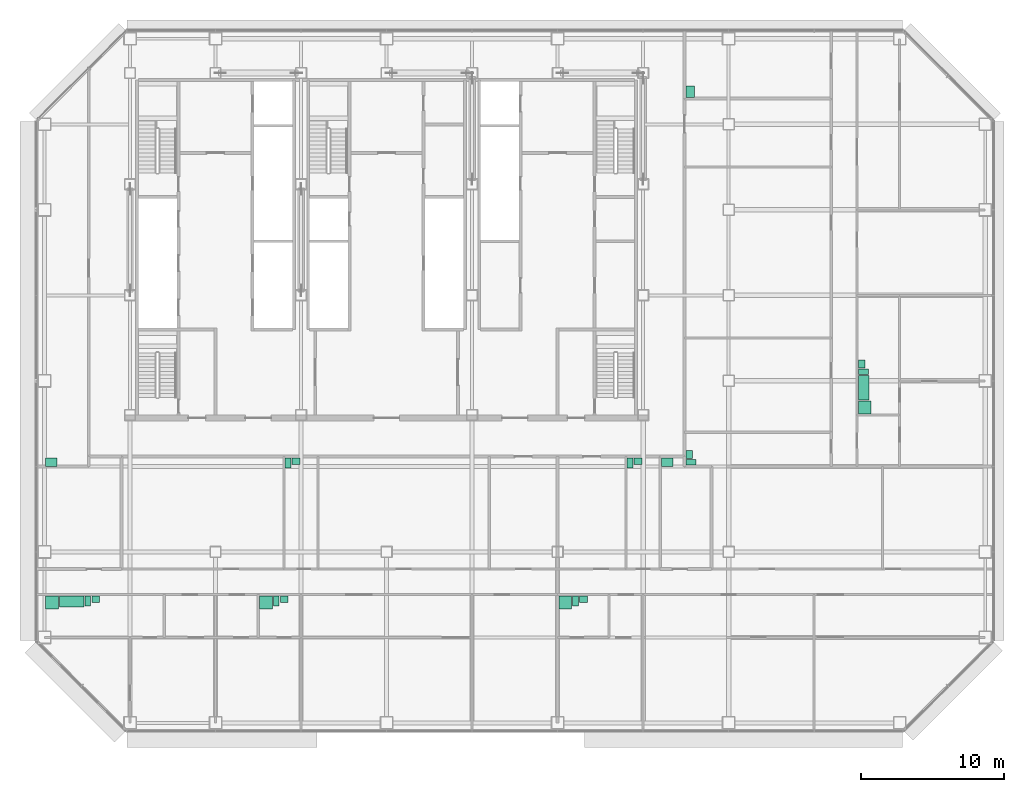
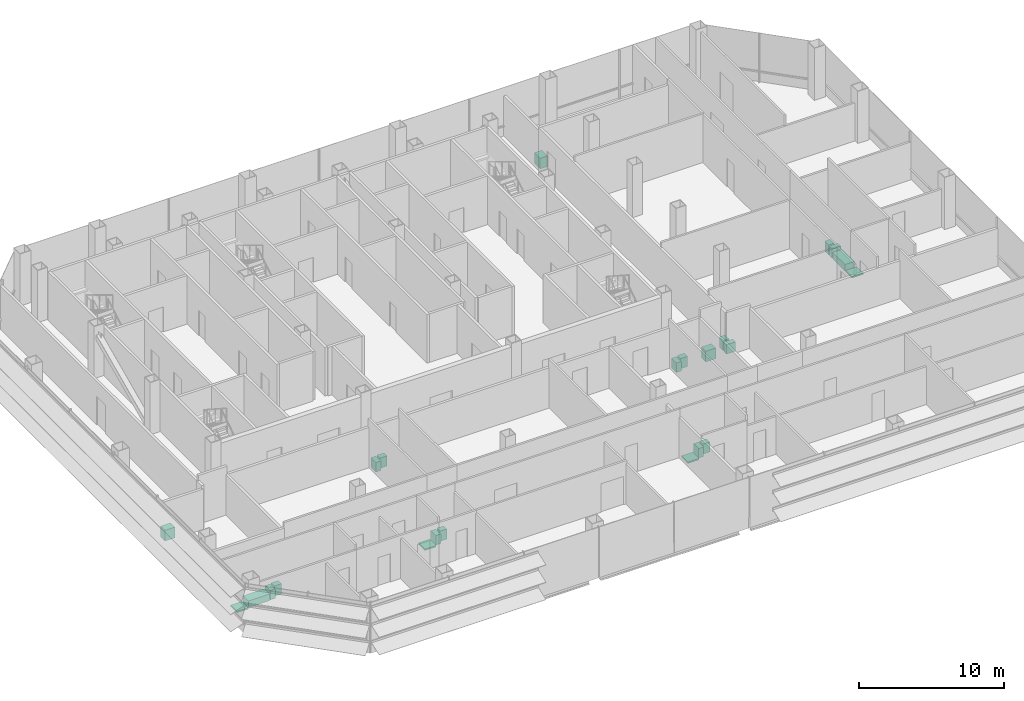
# One storey, part 27 of 27: 23 sanitary terminals.
"""IFC4 building model written with IfcOpenShell, lengths in metres."""

import ifcopenshell
import ifcopenshell.guid

model = None  # the IFC model being written
_history = None  # IfcOwnerHistory: only IFC2X3 demands one
_inside = {}  # id of a spatial element -> (the spatial element, [elements in it])
_under = {}  # id of a project, library or spatial element -> (it, [spatial elements below it])
_declared = {}  # id of a project -> (the project, [libraries it declares])
_typed = {}  # id of a type object -> (the type object, [elements of that type])
_made_of = {}  # id of a material, layer set ... -> (it, [elements and type objects made of it])


def new_model(schema):
    """Start an empty IFC model of exactly this schema.

    Asked for "IFC4X3", IfcOpenShell would pick the latest addendum, in which some entities
    have other attributes; the version numbers below select the first issue.
    IFC2X3 requires an IfcOwnerHistory on every rooted entity: one is made here for all.
    """
    global model, _history
    if schema == "IFC4X3":
        model = ifcopenshell.file(schema_version=(4, 3, 0, 0))
    else:
        model = ifcopenshell.file(schema=schema)
    _inside.clear()
    _under.clear()
    _declared.clear()
    _typed.clear()
    _made_of.clear()
    _history = None
    if model.schema == "IFC2X3":
        org = make("IfcOrganization", Name="unknown")
        user = make(
            "IfcPersonAndOrganization",
            ThePerson=make("IfcPerson", FamilyName="unknown"),
            TheOrganization=org,
        )
        app = make(
            "IfcApplication",
            ApplicationDeveloper=org,
            Version="unknown",
            ApplicationFullName="unknown",
            ApplicationIdentifier="unknown",
        )
        _history = make(
            "IfcOwnerHistory",
            OwningUser=user,
            OwningApplication=app,
            ChangeAction="ADDED",
            CreationDate=0,
        )
    return model


def make(cls, **values):
    """One entity of the class cls with the attributes given. An attribute that is None is left unset."""
    return model.create_entity(
        cls, **{name: value for name, value in values.items() if value is not None}
    )


def rooted(cls, **values):
    """An entity with a GlobalId (a new one), such as an element, a storey or a relation."""
    return make(cls, GlobalId=ifcopenshell.guid.new(), OwnerHistory=_history, **values)


def si_unit(unit_type, name, prefix=None):
    """IfcSIUnit, for example si_unit("LENGTHUNIT", "METRE", prefix="MILLI")."""
    return make("IfcSIUnit", UnitType=unit_type, Prefix=prefix, Name=name)


def assignment(units):
    """IfcUnitAssignment: the units of a project."""
    return None if units is None else make("IfcUnitAssignment", Units=units)


def point(xyz):
    """IfcCartesianPoint."""
    return None if xyz is None else make("IfcCartesianPoint", Coordinates=xyz)


def direction(xyz):
    """IfcDirection."""
    return None if xyz is None else make("IfcDirection", DirectionRatios=xyz)


def frame(location, z_axis=None, x_axis=None):
    """IfcAxis2Placement3D, a coordinate frame: its origin and axes. An axis left out is left unset."""
    return make(
        "IfcAxis2Placement3D",
        Location=point(location),
        Axis=direction(z_axis),
        RefDirection=direction(x_axis),
    )


def frame_2d(location, x_axis=None):
    """IfcAxis2Placement2D, a coordinate frame in the plane: its origin and x axis."""
    return make(
        "IfcAxis2Placement2D", Location=point(location), RefDirection=direction(x_axis)
    )


def origin():
    """The frame at (0, 0, 0) with its axes left unset."""
    return frame((0.0, 0.0, 0.0))


def origin_2d():
    """The frame at (0, 0) in the plane with its x axis left unset."""
    return frame_2d((0.0, 0.0))


def place(relative_to, where):
    """IfcLocalPlacement: puts the frame where relative to a parent placement (None: the world)."""
    return make(
        "IfcLocalPlacement", PlacementRelTo=relative_to, RelativePlacement=where
    )


def context(
    kind, dimensions, precision=None, world=None, true_north=None, identifier=None
):
    """IfcGeometricRepresentationContext, for example the 3D "Model" context."""
    return make(
        "IfcGeometricRepresentationContext",
        ContextIdentifier=identifier,
        ContextType=kind,
        CoordinateSpaceDimension=dimensions,
        Precision=precision,
        WorldCoordinateSystem=world,
        TrueNorth=true_north,
    )


def subcontext(parent, identifier, kind, view, scale=None):
    """IfcGeometricRepresentationSubContext, for example "Body" below "Model"."""
    return make(
        "IfcGeometricRepresentationSubContext",
        ContextIdentifier=identifier,
        ContextType=kind,
        ParentContext=parent,
        TargetScale=scale,
        TargetView=view,
    )


def project(units=None, contexts=None):
    """IfcProject with its units and contexts."""
    return rooted(
        "IfcProject",
        Name="project",
        RepresentationContexts=contexts,
        UnitsInContext=assignment(units),
    )


def spatial(cls, under=None, at=None, **own):
    """A site, building, storey or space (cls), placed at a placement, below another one or the project."""
    s = rooted(cls, ObjectPlacement=at, **own)
    if under is not None:
        _under.setdefault(under.id(), (under, []))[1].append(s)
    return s


def profile(cls, at=None, kind="AREA", **sizes):
    """A parametric profile (cls). Its sizes go by their IFC names, for example OverallWidth=200.0."""
    return make(cls, ProfileType=kind, Position=at, **sizes)


def rectangle(**sizes):
    """IfcRectangleProfileDef."""
    return profile("IfcRectangleProfileDef", **sizes)


def extrude(swept, where, along, depth):
    """IfcExtrudedAreaSolid: the profile swept, set in the frame where, extruded along a direction by depth."""
    return make(
        "IfcExtrudedAreaSolid",
        SweptArea=swept,
        Position=where,
        ExtrudedDirection=direction(along),
        Depth=depth,
    )


def shape(context_of_items, identifier, shape_type, items):
    """IfcShapeRepresentation: the items that make up one representation, for example the "Body"."""
    return make(
        "IfcShapeRepresentation",
        ContextOfItems=context_of_items,
        RepresentationIdentifier=identifier,
        RepresentationType=shape_type,
        Items=items,
    )


def made_of(thing, what):
    """Note that an element or type object is made of a material, layer set ...; save() writes the relation."""
    if what is not None:
        _made_of.setdefault(what.id(), (what, []))[1].append(thing)
    return thing


def element(
    cls,
    number,
    at=None,
    inside=None,
    cuts=None,
    type_object=None,
    material=None,
    context=None,
    identifier="Body",
    shape_type=None,
    held_by="IfcProductDefinitionShape",
    body=None,
    shapes=None,
    **own,
):
    """One element of the class cls, such as IfcWall. Its Tag is "e" and its number.

    at: its placement. inside: the storey or other place that contains it. cuts: it is an
    opening in that element (IfcRelVoidsElement). A single representation is given by context,
    identifier, shape_type and body (its items); several are given by shapes. held_by: the class
    of the entity that holds the representations. save() writes the other relations.
    """
    e = rooted(cls, Tag="e%d" % number, ObjectPlacement=at, **own)
    if body is not None:
        shapes = [shape(context, identifier, shape_type, body)]
    if shapes is not None:
        e.Representation = make(held_by, Representations=shapes)
    if inside is not None:
        _inside.setdefault(inside.id(), (inside, []))[1].append(e)
    if cuts is not None:
        rooted(
            "IfcRelVoidsElement", RelatingBuildingElement=cuts, RelatedOpeningElement=e
        )
    if type_object is not None:
        _typed.setdefault(type_object.id(), (type_object, []))[1].append(e)
    return made_of(e, material)


def aggregate(whole, parts):
    """IfcRelAggregates: a whole, such as a stair, and the parts it consists of."""
    return rooted("IfcRelAggregates", RelatingObject=whole, RelatedObjects=parts)


def save(model, path):
    """Write the relations noted so far, then the file.

    IfcRelAggregates (storeys below a building ...), IfcRelContainedInSpatialStructure (elements
    in a storey), IfcRelDefinesByType, IfcRelAssociatesMaterial and IfcRelDeclares: one each for
    every whole, place, type object, material and project.
    """
    for whole, parts in _under.values():
        aggregate(whole, parts)
    for where, things in _inside.values():
        rooted(
            "IfcRelContainedInSpatialStructure",
            RelatedElements=things,
            RelatingStructure=where,
        )
    for kind, things in _typed.values():
        rooted("IfcRelDefinesByType", RelatedObjects=things, RelatingType=kind)
    for what, things in _made_of.values():
        rooted("IfcRelAssociatesMaterial", RelatedObjects=things, RelatingMaterial=what)
    for by, libraries in _declared.values():
        rooted("IfcRelDeclares", RelatingContext=by, RelatedDefinitions=libraries)
    model.write(path)


model = new_model("IFC4")

# Units and contexts
model_context = context("Model", 3, precision=1e-05, world=origin(), true_north=direction((0.0, 1.0)))
body_context = subcontext(model_context, "Body", "Model", "MODEL_VIEW")
ifc_project = project(units=[si_unit("LENGTHUNIT", "METRE"), si_unit("AREAUNIT", "SQUARE_METRE"), si_unit("VOLUMEUNIT", "CUBIC_METRE"), si_unit("PLANEANGLEUNIT", "RADIAN"), si_unit("MASSUNIT", "GRAM", prefix="KILO")], contexts=[model_context])

# Site, building, storey
site_placement = place(None, origin())
site = spatial("IfcSite", under=ifc_project, at=site_placement, CompositionType="ELEMENT")
building_placement = place(site_placement, origin())
building = spatial("IfcBuilding", under=site, at=building_placement, Name="Sorahane Residences", CompositionType="ELEMENT")
storey_placement = place(building_placement, frame((0.0, 0.0, 85.800048828125)))
storey = spatial("IfcBuildingStorey", under=building, at=storey_placement, Name="L18", CompositionType="ELEMENT", Elevation=85.800048828125)

# Sanitary terminals
sanitary_terminal_1_placement = place(storey_placement, frame((0.530029296875, 8.449951171875, 0.0), z_axis=(0.0, 0.0, 1.0), x_axis=(1.0, 0.0, 0.0)))
element("IfcSanitaryTerminal", 1, at=sanitary_terminal_1_placement, inside=storey, Name="Shower tray En-suite bathroom 18A", PredefinedType="SHOWER", context=body_context, shape_type="SweptSolid", body=[
    extrude(rectangle(XDim=0.89990234375, YDim=0.89990234375, at=origin_2d()), origin(), (0.0, 0.0, 1.0), 0.1201171875),
])
sanitary_terminal_2_placement = place(storey_placement, frame((1.909912109375, 8.52490234375, 0.0), z_axis=(0.0, 0.0, 1.0), x_axis=(1.0, 0.0, 0.0)))
element("IfcSanitaryTerminal", 2, at=sanitary_terminal_2_placement, inside=storey, Name="Bath En-suite bathroom 18A", PredefinedType="BATH", context=body_context, shape_type="SweptSolid", body=[
    extrude(rectangle(XDim=1.699951171875, YDim=0.75, at=origin_2d()), origin(), (0.0, 0.0, 1.0), 0.56005859375),
])
sanitary_terminal_3_placement = place(storey_placement, frame((3.0400390625, 8.550048828125, 0.0), z_axis=(0.0, 0.0, 1.0), x_axis=(1.0, 0.0, 0.0)))
element("IfcSanitaryTerminal", 3, at=sanitary_terminal_3_placement, inside=storey, Name="WC pan En-suite bathroom 18A", PredefinedType="TOILETPAN", context=body_context, shape_type="SweptSolid", body=[
    extrude(rectangle(XDim=0.39990234375, YDim=0.699951171875, at=origin_2d()), origin(), (0.0, 0.0, 1.0), 0.800048828125),
])
sanitary_terminal_4_placement = place(storey_placement, frame((3.594970703125, 8.675048828125, 0.0), z_axis=(0.0, 0.0, 1.0), x_axis=(1.0, 0.0, 0.0)))
element("IfcSanitaryTerminal", 4, at=sanitary_terminal_4_placement, inside=storey, Name="Wash basin En-suite bathroom 18A", PredefinedType="WASHHANDBASIN", context=body_context, shape_type="SweptSolid", body=[
    extrude(rectangle(XDim=0.550048828125, YDim=0.449951171875, at=origin_2d()), origin(), (0.0, 0.0, 1.0), 0.85009765625),
])
sanitary_terminal_5_placement = place(storey_placement, frame((15.530029296875, 8.449951171875, 0.0), z_axis=(0.0, 0.0, 1.0), x_axis=(1.0, 0.0, 0.0)))
element("IfcSanitaryTerminal", 5, at=sanitary_terminal_5_placement, inside=storey, Name="Shower tray En-suite bathroom 18A-2", PredefinedType="SHOWER", context=body_context, shape_type="SweptSolid", body=[
    extrude(rectangle(XDim=0.89990234375, YDim=0.89990234375, at=origin_2d()), origin(), (0.0, 0.0, 1.0), 0.1201171875),
])
sanitary_terminal_6_placement = place(storey_placement, frame((16.260009765625, 8.550048828125, 0.0), z_axis=(0.0, 0.0, 1.0), x_axis=(1.0, 0.0, 0.0)))
element("IfcSanitaryTerminal", 6, at=sanitary_terminal_6_placement, inside=storey, Name="WC pan En-suite bathroom 18A-2", PredefinedType="TOILETPAN", context=body_context, shape_type="SweptSolid", body=[
    extrude(rectangle(XDim=0.39990234375, YDim=0.699951171875, at=origin_2d()), origin(), (0.0, 0.0, 1.0), 0.800048828125),
])
sanitary_terminal_7_placement = place(storey_placement, frame((16.81494140625, 8.675048828125, 0.0), z_axis=(0.0, 0.0, 1.0), x_axis=(1.0, 0.0, 0.0)))
element("IfcSanitaryTerminal", 7, at=sanitary_terminal_7_placement, inside=storey, Name="Wash basin En-suite bathroom 18A-2", PredefinedType="WASHHANDBASIN", context=body_context, shape_type="SweptSolid", body=[
    extrude(rectangle(XDim=0.550048828125, YDim=0.449951171875, at=origin_2d()), origin(), (0.0, 0.0, 1.0), 0.85009765625),
])
sanitary_terminal_8_placement = place(storey_placement, frame((0.47998046875, 18.300048828125, 0.0), z_axis=(0.0, 0.0, 1.0), x_axis=(1.0, 0.0, 0.0)))
element("IfcSanitaryTerminal", 8, at=sanitary_terminal_8_placement, inside=storey, Name="Kitchen sink Kitchen 18A", PredefinedType="SINK", context=body_context, shape_type="SweptSolid", body=[
    extrude(rectangle(XDim=0.800048828125, YDim=0.60009765625, at=origin_2d()), origin(), (0.0, 0.0, 1.0), 0.89990234375),
])
sanitary_terminal_9_placement = place(storey_placement, frame((17.080078125, 18.25, 0.0), z_axis=(0.0, 0.0, 1.0), x_axis=(1.0, 0.0, 0.0)))
element("IfcSanitaryTerminal", 9, at=sanitary_terminal_9_placement, inside=storey, Name="WC pan Powder room 18A", PredefinedType="TOILETPAN", context=body_context, shape_type="SweptSolid", body=[
    extrude(rectangle(XDim=0.39990234375, YDim=0.699951171875, at=origin_2d()), origin(), (0.0, 0.0, 1.0), 0.800048828125),
])
sanitary_terminal_10_placement = place(storey_placement, frame((17.635009765625, 18.375, 0.0), z_axis=(0.0, 0.0, 1.0), x_axis=(1.0, 0.0, 0.0)))
element("IfcSanitaryTerminal", 10, at=sanitary_terminal_10_placement, inside=storey, Name="Wash basin Powder room 18A", PredefinedType="WASHHANDBASIN", context=body_context, shape_type="SweptSolid", body=[
    extrude(rectangle(XDim=0.550048828125, YDim=0.449951171875, at=origin_2d()), origin(), (0.0, 0.0, 1.0), 0.85009765625),
])
sanitary_terminal_11_placement = place(storey_placement, frame((36.530029296875, 8.449951171875, 0.0), z_axis=(0.0, 0.0, 1.0), x_axis=(1.0, 0.0, 0.0)))
element("IfcSanitaryTerminal", 11, at=sanitary_terminal_11_placement, inside=storey, Name="Shower tray En-suite bathroom 18B", PredefinedType="SHOWER", context=body_context, shape_type="SweptSolid", body=[
    extrude(rectangle(XDim=0.89990234375, YDim=0.89990234375, at=origin_2d()), origin(), (0.0, 0.0, 1.0), 0.1201171875),
])
sanitary_terminal_12_placement = place(storey_placement, frame((37.260009765625, 8.550048828125, 0.0), z_axis=(0.0, 0.0, 1.0), x_axis=(1.0, 0.0, 0.0)))
element("IfcSanitaryTerminal", 12, at=sanitary_terminal_12_placement, inside=storey, Name="WC pan En-suite bathroom 18B", PredefinedType="TOILETPAN", context=body_context, shape_type="SweptSolid", body=[
    extrude(rectangle(XDim=0.39990234375, YDim=0.699951171875, at=origin_2d()), origin(), (0.0, 0.0, 1.0), 0.800048828125),
])
sanitary_terminal_13_placement = place(storey_placement, frame((37.81494140625, 8.675048828125, 0.0), z_axis=(0.0, 0.0, 1.0), x_axis=(1.0, 0.0, 0.0)))
element("IfcSanitaryTerminal", 13, at=sanitary_terminal_13_placement, inside=storey, Name="Wash basin En-suite bathroom 18B", PredefinedType="WASHHANDBASIN", context=body_context, shape_type="SweptSolid", body=[
    extrude(rectangle(XDim=0.550048828125, YDim=0.449951171875, at=origin_2d()), origin(), (0.0, 0.0, 1.0), 0.85009765625),
])
sanitary_terminal_14_placement = place(storey_placement, frame((41.080078125, 18.25, 0.0), z_axis=(0.0, 0.0, 1.0), x_axis=(1.0, 0.0, 0.0)))
element("IfcSanitaryTerminal", 14, at=sanitary_terminal_14_placement, inside=storey, Name="WC pan Powder room 18B", PredefinedType="TOILETPAN", context=body_context, shape_type="SweptSolid", body=[
    extrude(rectangle(XDim=0.39990234375, YDim=0.699951171875, at=origin_2d()), origin(), (0.0, 0.0, 1.0), 0.800048828125),
])
sanitary_terminal_15_placement = place(storey_placement, frame((41.635009765625, 18.375, 0.0), z_axis=(0.0, 0.0, 1.0), x_axis=(1.0, 0.0, 0.0)))
element("IfcSanitaryTerminal", 15, at=sanitary_terminal_15_placement, inside=storey, Name="Wash basin Powder room 18B", PredefinedType="WASHHANDBASIN", context=body_context, shape_type="SweptSolid", body=[
    extrude(rectangle(XDim=0.550048828125, YDim=0.449951171875, at=origin_2d()), origin(), (0.0, 0.0, 1.0), 0.85009765625),
])
sanitary_terminal_16_placement = place(storey_placement, frame((43.679931640625, 18.300048828125, 0.0), z_axis=(0.0, 0.0, 1.0), x_axis=(1.0, 0.0, 0.0)))
element("IfcSanitaryTerminal", 16, at=sanitary_terminal_16_placement, inside=storey, Name="Kitchen sink Kitchen 18B", PredefinedType="SINK", context=body_context, shape_type="SweptSolid", body=[
    extrude(rectangle(XDim=0.800048828125, YDim=0.60009765625, at=origin_2d()), origin(), (0.0, 0.0, 1.0), 0.89990234375),
])
sanitary_terminal_17_placement = place(storey_placement, frame((57.550048828125, 22.1298828125, 0.0), z_axis=(0.0, 0.0, 1.0), x_axis=(0.0, 1.0, 0.0)))
element("IfcSanitaryTerminal", 17, at=sanitary_terminal_17_placement, inside=storey, Name="Shower tray En-suite bathroom 18C", PredefinedType="SHOWER", context=body_context, shape_type="SweptSolid", body=[
    extrude(rectangle(XDim=0.89990234375, YDim=0.89990234375, at=origin_2d()), origin(), (0.0, 0.0, 1.0), 0.1201171875),
])
sanitary_terminal_18_placement = place(storey_placement, frame((57.47509765625, 23.510009765625, 0.0), z_axis=(0.0, 0.0, 1.0), x_axis=(0.0, 1.0, 0.0)))
element("IfcSanitaryTerminal", 18, at=sanitary_terminal_18_placement, inside=storey, Name="Bath En-suite bathroom 18C", PredefinedType="BATH", context=body_context, shape_type="SweptSolid", body=[
    extrude(rectangle(XDim=1.699951171875, YDim=0.75, at=origin_2d()), origin(), (0.0, 0.0, 1.0), 0.56005859375),
])
sanitary_terminal_19_placement = place(storey_placement, frame((57.449951171875, 24.639892578125, 0.0), z_axis=(0.0, 0.0, 1.0), x_axis=(0.0, 1.0, 0.0)))
element("IfcSanitaryTerminal", 19, at=sanitary_terminal_19_placement, inside=storey, Name="WC pan En-suite bathroom 18C", PredefinedType="TOILETPAN", context=body_context, shape_type="SweptSolid", body=[
    extrude(rectangle(XDim=0.39990234375, YDim=0.699951171875, at=origin_2d()), origin(), (0.0, 0.0, 1.0), 0.800048828125),
])
sanitary_terminal_20_placement = place(storey_placement, frame((57.324951171875, 25.195068359375, 0.0), z_axis=(0.0, 0.0, 1.0), x_axis=(0.0, 1.0, 0.0)))
element("IfcSanitaryTerminal", 20, at=sanitary_terminal_20_placement, inside=storey, Name="Wash basin En-suite bathroom 18C", PredefinedType="WASHHANDBASIN", context=body_context, shape_type="SweptSolid", body=[
    extrude(rectangle(XDim=0.550048828125, YDim=0.449951171875, at=origin_2d()), origin(), (0.0, 0.0, 1.0), 0.85009765625),
])
sanitary_terminal_21_placement = place(storey_placement, frame((45.35009765625, 18.280029296875, 0.0), z_axis=(0.0, 0.0, 1.0), x_axis=(0.0, 1.0, 0.0)))
element("IfcSanitaryTerminal", 21, at=sanitary_terminal_21_placement, inside=storey, Name="WC pan Guest WC 18C", PredefinedType="TOILETPAN", context=body_context, shape_type="SweptSolid", body=[
    extrude(rectangle(XDim=0.39990234375, YDim=0.699951171875, at=origin_2d()), origin(), (0.0, 0.0, 1.0), 0.800048828125),
])
sanitary_terminal_22_placement = place(storey_placement, frame((45.22509765625, 18.8349609375, 0.0), z_axis=(0.0, 0.0, 1.0), x_axis=(0.0, 1.0, 0.0)))
element("IfcSanitaryTerminal", 22, at=sanitary_terminal_22_placement, inside=storey, Name="Wash basin Guest WC 18C", PredefinedType="WASHHANDBASIN", context=body_context, shape_type="SweptSolid", body=[
    extrude(rectangle(XDim=0.550048828125, YDim=0.449951171875, at=origin_2d()), origin(), (0.0, 0.0, 1.0), 0.85009765625),
])
sanitary_terminal_23_placement = place(storey_placement, frame((45.300048828125, 44.280029296875, 0.0), z_axis=(0.0, 0.0, 1.0), x_axis=(0.0, 1.0, 0.0)))
element("IfcSanitaryTerminal", 23, at=sanitary_terminal_23_placement, inside=storey, Name="Kitchen sink Kitchen 18C", PredefinedType="SINK", context=body_context, shape_type="SweptSolid", body=[
    extrude(rectangle(XDim=0.800048828125, YDim=0.60009765625, at=origin_2d()), origin(), (0.0, 0.0, 1.0), 0.89990234375),
])

save(model, "model.ifc")
